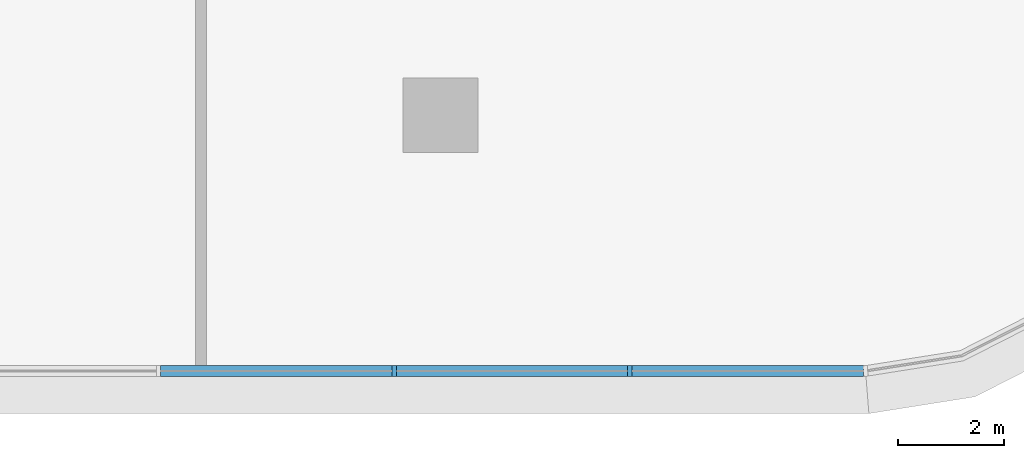
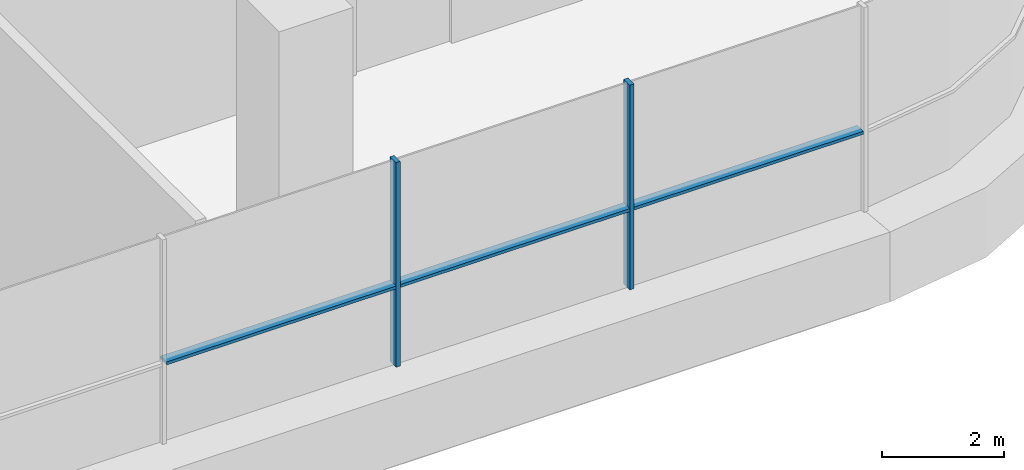
# One storey, part 11 of 52: 5 members, 1 element without a shape of its own.
"""IFC4 building model written with IfcOpenShell, lengths in metres."""

from ifc_helpers import new_model, si_unit, direction, frame, origin, origin_2d, place, context, subcontext, project, spatial, polyline, rectangle, outline, extrude, material, layer, layer_set, material_profile, profile_set, type_object, element, aggregate, save


model = new_model("IFC4")

# Units and contexts
model_context = context("Model", 3, precision=1e-05, world=origin(), true_north=direction((0.0, 1.0)))
body_context = subcontext(model_context, "Body", "Model", "MODEL_VIEW")
ifc_project = project(units=[si_unit("LENGTHUNIT", "METRE"), si_unit("AREAUNIT", "SQUARE_METRE"), si_unit("VOLUMEUNIT", "CUBIC_METRE"), si_unit("PLANEANGLEUNIT", "RADIAN"), si_unit("MASSUNIT", "GRAM", prefix="KILO")], contexts=[model_context])

# Site, building, storey
site_placement = place(None, origin())
site = spatial("IfcSite", under=ifc_project, at=site_placement, CompositionType="ELEMENT")
building_placement = place(site_placement, origin())
building = spatial("IfcBuilding", under=site, at=building_placement, Name="Tamarind Cross Interchange Tower", CompositionType="ELEMENT")
storey_placement = place(building_placement, frame((0.0, 0.0, 9.0)))
storey = spatial("IfcBuildingStorey", under=building, at=storey_placement, Name="L01", CompositionType="ELEMENT", Elevation=9.0)

# Curtain wall, members
ifc_material = material(Name="Aluminium 6063-T6", Category="aluminium")
ifc_layer = layer(ifc_material, 0.199951171875)
ifc_layer_set = layer_set([ifc_layer], Name="Aluminium 6063-T6")
curtain_wall_type = type_object("IfcCurtainWallType", Name="Podium shopfront and station curtain wall", PredefinedType="NOTDEFINED", material=ifc_layer_set)
curtain_wall_placement = place(storey_placement, origin())
curtain_wall = element("IfcCurtainWall", 1, at=curtain_wall_placement, inside=storey, type_object=curtain_wall_type, Name="CWS-L01-06", PredefinedType="NOTDEFINED")
ifc_material_profile = material_profile(ifc_material, rectangle(XDim=0.080078125, YDim=0.199951171875, at=origin_2d()), Name="Mullion CW3")
ifc_profile_set = profile_set([ifc_material_profile], Name="Aluminium 6063-T6")
member_type_1 = type_object("IfcMemberType", Name="Mullion CW3", PredefinedType="MULLION", material=ifc_profile_set)
member_1_placement = place(storey_placement, frame((53.12939453125, -58.800048828125, 1.39990234375), z_axis=(0.0, 0.0, 1.0), x_axis=(1.0, 0.0, 0.0)))
member_1 = element("IfcMember", 2, at=member_1_placement, type_object=member_type_1, Name="CWM-L01-06-26", PredefinedType="MULLION", context=body_context, shape_type="SweptSolid", body=[
    extrude(rectangle(XDim=0.080078125, YDim=0.199951171875, at=origin_2d()), origin(), (0.0, 0.0, 1.0), 4.10009765625),
])
member_2_placement = place(storey_placement, frame((57.556884765625, -58.800048828125, 1.39990234375), z_axis=(0.0, 0.0, 1.0), x_axis=(1.0, 0.0, 0.0)))
member_2 = element("IfcMember", 3, at=member_2_placement, type_object=member_type_1, Name="CWM-L01-06-27", PredefinedType="MULLION", context=body_context, shape_type="SweptSolid", body=[
    extrude(rectangle(XDim=0.080078125, YDim=0.199951171875, at=origin_2d()), origin(), (0.0, 0.0, 1.0), 4.10009765625),
])
member_type_2 = type_object("IfcMemberType", Name="Podium intermediate transom", PredefinedType="USERDEFINED", material=ifc_material)
member_3_placement = place(storey_placement, frame((0.0, 0.0, 2.969970703125)))
member_3 = element("IfcMember", 4, at=member_3_placement, type_object=member_type_2, Name="CWT-L01-06-I0-25", ObjectType="TRANSOM", PredefinedType="USERDEFINED", context=body_context, shape_type="SweptSolid", body=[
    extrude(outline(polyline([(48.741943359375, -58.699951171875), (53.08935546875, -58.699951171875), (53.08935546875, -58.89990234375), (48.741943359375, -58.89990234375), (48.741943359375, -58.699951171875)])), origin(), (0.0, 0.0, 1.0), 0.06005859375),
])
member_4_placement = place(storey_placement, frame((0.0, 0.0, 2.969970703125)))
member_4 = element("IfcMember", 5, at=member_4_placement, type_object=member_type_2, Name="CWT-L01-06-I0-26", ObjectType="TRANSOM", PredefinedType="USERDEFINED", context=body_context, shape_type="SweptSolid", body=[
    extrude(outline(polyline([(53.16943359375, -58.699951171875), (57.516845703125, -58.699951171875), (57.516845703125, -58.89990234375), (53.16943359375, -58.89990234375), (53.16943359375, -58.699951171875)])), origin(), (0.0, 0.0, 1.0), 0.06005859375),
])
member_5_placement = place(storey_placement, frame((0.0, 0.0, 2.969970703125)))
member_5 = element("IfcMember", 6, at=member_5_placement, type_object=member_type_2, Name="CWT-L01-06-I0-27", ObjectType="TRANSOM", PredefinedType="USERDEFINED", context=body_context, shape_type="SweptSolid", body=[
    extrude(outline(polyline([(57.596923828125, -58.699951171875), (61.9443359375, -58.699951171875), (61.9443359375, -58.89990234375), (57.596923828125, -58.89990234375), (57.596923828125, -58.699951171875)])), origin(), (0.0, 0.0, 1.0), 0.06005859375),
])
aggregate(curtain_wall, [member_1, member_2, member_3, member_4, member_5])

save(model, "model.ifc")
